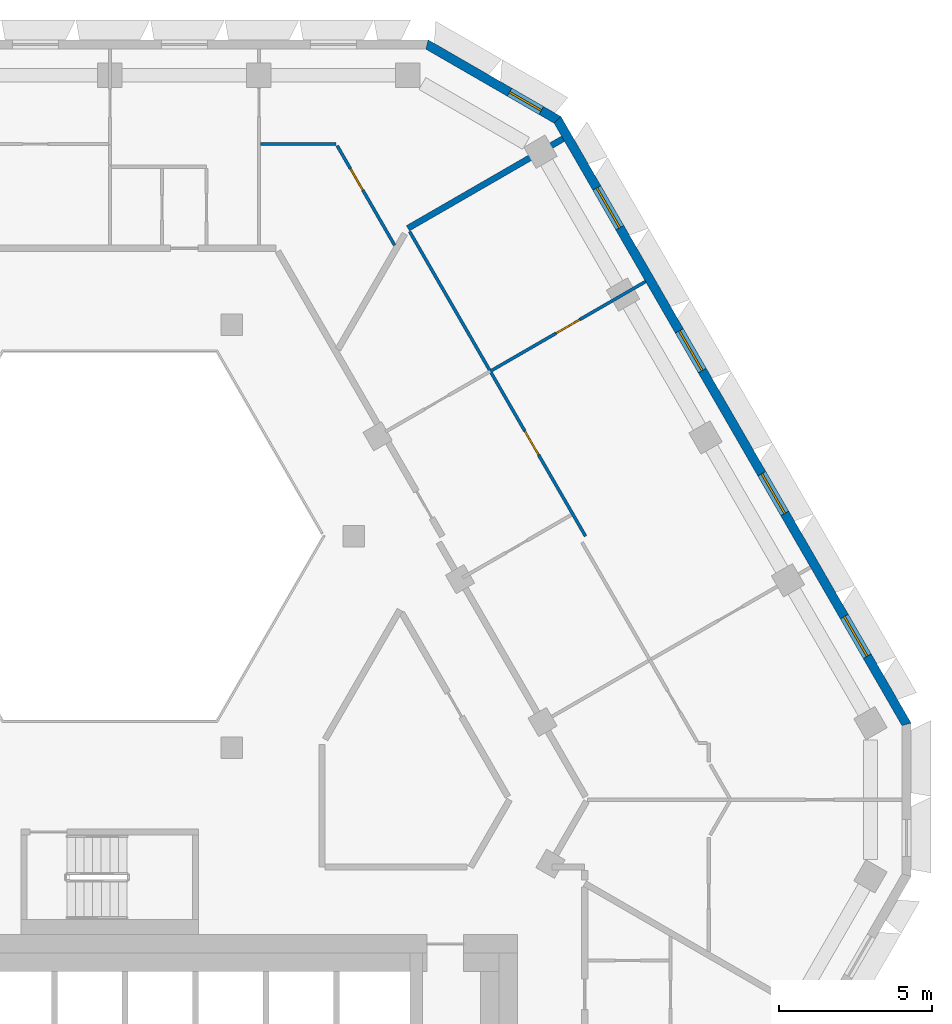
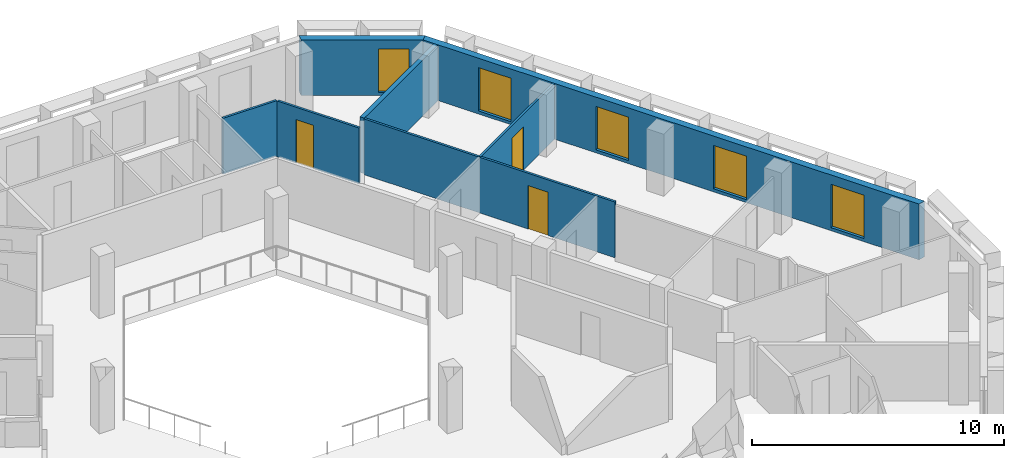
# One storey, part 8 of 15: 7 walls, 5 windows, 3 doors, 8 openings.
"""IFC4 building model written with IfcOpenShell, lengths in metres."""

from ifc_helpers import new_model, si_unit, direction, frame, frame_2d, origin, place, context, subcontext, project, spatial, polyline, rectangle, outline, extrude, material, layer, layer_set, type_object, element, fill, save


model = new_model("IFC4")

# Units and contexts
model_context = context("Model", 3, precision=1e-05, world=origin(), true_north=direction((0.0, 1.0)))
body_context = subcontext(model_context, "Body", "Model", "MODEL_VIEW")
ifc_project = project(units=[si_unit("LENGTHUNIT", "METRE"), si_unit("AREAUNIT", "SQUARE_METRE"), si_unit("VOLUMEUNIT", "CUBIC_METRE"), si_unit("PLANEANGLEUNIT", "RADIAN"), si_unit("MASSUNIT", "GRAM", prefix="KILO")], contexts=[model_context])

# Site, building, storey
site_placement = place(None, origin())
site = spatial("IfcSite", under=ifc_project, at=site_placement, CompositionType="ELEMENT")
building_placement = place(site_placement, origin())
building = spatial("IfcBuilding", under=site, at=building_placement, Name="Beryl Residences", CompositionType="ELEMENT")
storey_placement = place(building_placement, frame((0.0, 0.0, 175.199951171875)))
storey = spatial("IfcBuildingStorey", under=building, at=storey_placement, Name="L53", CompositionType="ELEMENT", Elevation=175.199951171875)

# Wall, openings, windows
ifc_material_1 = material(Name="Composite metal panel with mineral wool insulation")
ifc_layer_1 = layer(ifc_material_1, 0.300048828125)
ifc_layer_set_1 = layer_set([ifc_layer_1], Name="ES1 pale metal composite panel wall 300 mm")
wall_type_1 = type_object("IfcWallType", Name="ES1 pale metal composite panel wall 300 mm", PredefinedType="SOLIDWALL", material=ifc_layer_set_1)
wall_1_placement = place(storey_placement, frame((26.02392578125, 1.824951171875, 0.0), z_axis=(0.0, 0.0, 1.0), x_axis=(-0.500010537973, 0.866019319597, 0.0)))
wall_1 = element("IfcWall", 1, at=wall_1_placement, inside=storey, type_object=wall_type_1, Name="ES1 external wall L53 NE", PredefinedType="SOLIDWALL", context=body_context, shape_type="SweptSolid", body=[
    extrude(outline(polyline([(0.0, -0.14990234375), (22.86328125, -0.14990234375), (22.782958984375, 0.14990234375), (0.080322265625, 0.14990234375), (0.0, -0.14990234375)])), origin(), (0.0, 0.0, 1.0), 2.699951171875),
])
opening_1_placement = place(wall_1_placement, frame((2.60595703125, 0.0, 0.14990234375)))
opening_1 = element("IfcOpeningElement", 2, at=opening_1_placement, cuts=wall_1, Name="Opening W1", PredefinedType="OPENING", context=body_context, shape_type="SweptSolid", body=[
    extrude(rectangle(XDim=1.5, YDim=2.10009765625, at=frame_2d((0.75, 1.050048828125))), frame((0.0, 0.159912109375, 0.0), z_axis=(0.0, -1.0, 0.0), x_axis=(1.0, 0.0, 0.0)), (0.0, 0.0, 1.0), 0.320068359375),
])
opening_2_placement = place(wall_1_placement, frame((7.989990234375, 0.0, 0.14990234375)))
opening_2 = element("IfcOpeningElement", 3, at=opening_2_placement, cuts=wall_1, Name="Opening W1", PredefinedType="OPENING", context=body_context, shape_type="SweptSolid", body=[
    extrude(rectangle(XDim=1.5, YDim=2.10009765625, at=frame_2d((0.75, 1.050048828125))), frame((0.0, 0.159912109375, 0.0), z_axis=(0.0, -1.0, 0.0), x_axis=(1.0, 0.0, 0.0)), (0.0, 0.0, 1.0), 0.320068359375),
])
opening_3_placement = place(wall_1_placement, frame((13.373046875, 0.0, 0.14990234375)))
opening_3 = element("IfcOpeningElement", 4, at=opening_3_placement, cuts=wall_1, Name="Opening W1", PredefinedType="OPENING", context=body_context, shape_type="SweptSolid", body=[
    extrude(rectangle(XDim=1.5, YDim=2.10009765625, at=frame_2d((0.75, 1.050048828125))), frame((0.0, 0.159912109375, 0.0), z_axis=(0.0, -1.0, 0.0), x_axis=(1.0, 0.0, 0.0)), (0.0, 0.0, 1.0), 0.320068359375),
])
opening_4_placement = place(wall_1_placement, frame((18.758056640625, 0.0, 0.14990234375)))
opening_4 = element("IfcOpeningElement", 5, at=opening_4_placement, cuts=wall_1, Name="Opening W1", PredefinedType="OPENING", context=body_context, shape_type="SweptSolid", body=[
    extrude(rectangle(XDim=1.5, YDim=2.10009765625, at=frame_2d((0.75, 1.050048828125))), frame((0.0, 0.159912109375, 0.0), z_axis=(0.0, -1.0, 0.0), x_axis=(1.0, 0.0, 0.0)), (0.0, 0.0, 1.0), 0.320068359375),
])
ifc_material_2 = material(Name="Aluminium and clear glass", Category="aluminium")
window_type_1 = type_object("IfcWindowType", Name="W1 cell window 1500 x 2100 mm", PartitioningType="SINGLE_PANEL", PredefinedType="WINDOW", material=ifc_material_2)
window_1_placement = place(opening_1_placement, origin())
window_1 = element("IfcWindow", 6, at=window_1_placement, inside=storey, type_object=window_type_1, Name="W1 window L53 NE 2", OverallHeight=2.10009765625, OverallWidth=1.5, PartitioningType="SINGLE_PANEL", PredefinedType="WINDOW", context=body_context, shape_type="SweptSolid", body=[
    extrude(rectangle(XDim=1.5, YDim=2.10009765625, at=frame_2d((0.75, 1.050048828125))), frame((0.0, 0.030029296875, 0.0), z_axis=(0.0, -1.0, 0.0), x_axis=(1.0, 0.0, 0.0)), (0.0, 0.0, 1.0), 0.06005859375),
])
fill(opening_1, window_1)
window_2_placement = place(opening_2_placement, origin())
window_2 = element("IfcWindow", 7, at=window_2_placement, inside=storey, type_object=window_type_1, Name="W1 window L53 NE 4", OverallHeight=2.10009765625, OverallWidth=1.5, PartitioningType="SINGLE_PANEL", PredefinedType="WINDOW", context=body_context, shape_type="SweptSolid", body=[
    extrude(rectangle(XDim=1.5, YDim=2.10009765625, at=frame_2d((0.75, 1.050048828125))), frame((0.0, 0.030029296875, 0.0), z_axis=(0.0, -1.0, 0.0), x_axis=(1.0, 0.0, 0.0)), (0.0, 0.0, 1.0), 0.06005859375),
])
fill(opening_2, window_2)
window_3_placement = place(opening_3_placement, origin())
window_3 = element("IfcWindow", 8, at=window_3_placement, inside=storey, type_object=window_type_1, Name="W1 window L53 NE 6", OverallHeight=2.10009765625, OverallWidth=1.5, PartitioningType="SINGLE_PANEL", PredefinedType="WINDOW", context=body_context, shape_type="SweptSolid", body=[
    extrude(rectangle(XDim=1.5, YDim=2.10009765625, at=frame_2d((0.75, 1.050048828125))), frame((0.0, 0.030029296875, 0.0), z_axis=(0.0, -1.0, 0.0), x_axis=(1.0, 0.0, 0.0)), (0.0, 0.0, 1.0), 0.06005859375),
])
fill(opening_3, window_3)
window_4_placement = place(opening_4_placement, origin())
window_4 = element("IfcWindow", 9, at=window_4_placement, inside=storey, type_object=window_type_1, Name="W1 window L53 NE 8", OverallHeight=2.10009765625, OverallWidth=1.5, PartitioningType="SINGLE_PANEL", PredefinedType="WINDOW", context=body_context, shape_type="SweptSolid", body=[
    extrude(rectangle(XDim=1.5, YDim=2.10009765625, at=frame_2d((0.75, 1.050048828125))), frame((0.0, 0.030029296875, 0.0), z_axis=(0.0, -1.0, 0.0), x_axis=(1.0, 0.0, 0.0)), (0.0, 0.0, 1.0), 0.06005859375),
])
fill(opening_4, window_4)

# Wall, opening, window
wall_2_placement = place(storey_placement, frame((14.64697265625, 21.570068359375, 0.0), z_axis=(0.0, 0.0, 1.0), x_axis=(-0.866022959057, 0.500004234368, 0.0)))
wall_2 = element("IfcWall", 10, at=wall_2_placement, inside=storey, type_object=wall_type_1, Name="ES1 external wall L53 NE-N", PredefinedType="SOLIDWALL", context=body_context, shape_type="SweptSolid", body=[
    extrude(outline(polyline([(0.0, -0.14990234375), (5.0, -0.14990234375), (4.919677734375, 0.14990234375), (0.080322265625, 0.14990234375), (0.0, -0.14990234375)])), origin(), (0.0, 0.0, 1.0), 2.699951171875),
])
opening_5_placement = place(wall_2_placement, frame((0.64990234375, 0.0, 0.14990234375)))
opening_5 = element("IfcOpeningElement", 11, at=opening_5_placement, cuts=wall_2, Name="Opening W2", PredefinedType="OPENING", context=body_context, shape_type="SweptSolid", body=[
    extrude(rectangle(XDim=1.199951171875, YDim=2.10009765625, at=frame_2d((0.60009765625, 1.050048828125))), frame((0.0, 0.159912109375, 0.0), z_axis=(0.0, -1.0, 0.0), x_axis=(1.0, 0.0, 0.0)), (0.0, 0.0, 1.0), 0.320068359375),
])
ifc_material_3 = material(Name="Aluminium and clear glass", Category="aluminium")
window_type_2 = type_object("IfcWindowType", Name="W2 chamfer window 1200 x 2100 mm", PartitioningType="SINGLE_PANEL", PredefinedType="WINDOW", material=ifc_material_3)
window_5_placement = place(opening_5_placement, origin())
window_5 = element("IfcWindow", 12, at=window_5_placement, inside=storey, type_object=window_type_2, Name="W2 window L53 NE-N 1", OverallHeight=2.10009765625, OverallWidth=1.199951171875, PartitioningType="SINGLE_PANEL", PredefinedType="WINDOW", context=body_context, shape_type="SweptSolid", body=[
    extrude(rectangle(XDim=1.199951171875, YDim=2.10009765625, at=frame_2d((0.60009765625, 1.050048828125))), frame((0.0, 0.030029296875, 0.0), z_axis=(0.0, -1.0, 0.0), x_axis=(1.0, 0.0, 0.0)), (0.0, 0.0, 1.0), 0.06005859375),
])
fill(opening_5, window_5)

# Wall, opening, door
ifc_material_4 = material(Name="Gypsum board partition on steel studs", Category="steel")
ifc_layer_2 = layer(ifc_material_4, 0.10009765625)
ifc_layer_set_2 = layer_set([ifc_layer_2], Name="PT1 partition 100 mm gypsum board on steel studs")
wall_type_2 = type_object("IfcWallType", Name="PT1 partition 100 mm gypsum board on steel studs", PredefinedType="PARTITIONING", material=ifc_layer_set_2)
wall_3_placement = place(storey_placement, frame((7.4189453125, 20.7490234375, 0.0), z_axis=(0.0, 0.0, 1.0), x_axis=(0.499917691695, -0.866072919292, 0.0)))
wall_3 = element("IfcWall", 13, at=wall_3_placement, inside=storey, type_object=wall_type_2, Name="Wall PT1 L53 002", PredefinedType="PARTITIONING", context=body_context, shape_type="SweptSolid", body=[
    extrude(rectangle(XDim=3.752685546875, YDim=0.10009765625, at=frame_2d((1.87646484375, 0.0))), origin(), (0.0, 0.0, 1.0), 2.699951171875),
])
opening_6_placement = place(wall_3_placement, frame((0.8740234375, 0.0, 0.0)))
opening_6 = element("IfcOpeningElement", 14, at=opening_6_placement, cuts=wall_3, Name="Opening D1629", PredefinedType="OPENING", context=body_context, shape_type="SweptSolid", body=[
    extrude(rectangle(XDim=0.800048828125, YDim=2.10009765625, at=frame_2d((0.39990234375, 1.050048828125))), frame((0.0, 0.06005859375, 0.0), z_axis=(0.0, -1.0, 0.0), x_axis=(1.0, 0.0, 0.0)), (0.0, 0.0, 1.0), 0.1201171875),
])
ifc_material_5 = material(Name="Timber door leaf", Category="wood")
door_type_1 = type_object("IfcDoorType", Name="D3 bathroom door 800 x 2100 mm", OperationType="SINGLE_SWING_LEFT", PredefinedType="DOOR", material=ifc_material_5)
door_1_placement = place(opening_6_placement, origin())
door_1 = element("IfcDoor", 15, at=door_1_placement, inside=storey, type_object=door_type_1, Name="Door D1629 L53 001", OperationType="SINGLE_SWING_LEFT", OverallHeight=2.10009765625, OverallWidth=0.800048828125, PredefinedType="DOOR", context=body_context, shape_type="SweptSolid", body=[
    extrude(rectangle(XDim=0.800048828125, YDim=2.10009765625, at=frame_2d((0.39990234375, 1.050048828125))), frame((0.0, 0.02490234375, 0.0), z_axis=(0.0, -1.0, 0.0), x_axis=(1.0, 0.0, 0.0)), (0.0, 0.0, 1.0), 0.050048828125),
])
fill(opening_6, door_1)

wall_4_placement = place(storey_placement, frame((9.783935546875, 17.947021484375, 0.0), z_axis=(0.0, 0.0, 1.0), x_axis=(0.500016228266, -0.866016034188, 0.0)))
wall_4 = element("IfcWall", 16, at=wall_4_placement, inside=storey, type_object=wall_type_2, Name="Wall PT1 L53 005", PredefinedType="PARTITIONING", context=body_context, shape_type="SweptSolid", body=[
    extrude(rectangle(XDim=11.48583984375, YDim=0.10009765625, at=frame_2d((5.742919921875, 0.0))), origin(), (0.0, 0.0, 1.0), 2.699951171875),
])
opening_7_placement = place(wall_4_placement, frame((7.51806640625, 0.0, 0.0)))
opening_7 = element("IfcOpeningElement", 17, at=opening_7_placement, cuts=wall_4, Name="Opening D1616", PredefinedType="OPENING", context=body_context, shape_type="SweptSolid", body=[
    extrude(rectangle(XDim=0.89990234375, YDim=2.10009765625, at=frame_2d((0.449951171875, 1.050048828125))), frame((0.0, 0.06005859375, 0.0), z_axis=(0.0, -1.0, 0.0), x_axis=(1.0, 0.0, 0.0)), (0.0, 0.0, 1.0), 0.1201171875),
])
ifc_material_6 = material(Name="Timber door leaf", Category="wood")
door_type_2 = type_object("IfcDoorType", Name="D2 room door 900 x 2100 mm", OperationType="SINGLE_SWING_LEFT", PredefinedType="DOOR", material=ifc_material_6)
door_2_placement = place(opening_7_placement, origin())
door_2 = element("IfcDoor", 18, at=door_2_placement, inside=storey, type_object=door_type_2, Name="Door D1616 L53 001", OperationType="SINGLE_SWING_RIGHT", OverallHeight=2.10009765625, OverallWidth=0.89990234375, PredefinedType="DOOR", context=body_context, shape_type="SweptSolid", body=[
    extrude(rectangle(XDim=0.89990234375, YDim=2.10009765625, at=frame_2d((0.449951171875, 1.050048828125))), frame((0.0, 0.02490234375, 0.0), z_axis=(0.0, -1.0, 0.0), x_axis=(1.0, 0.0, 0.0)), (0.0, 0.0, 1.0), 0.050048828125),
])
fill(opening_7, door_2)

# Wall
wall_5_placement = place(storey_placement, frame((4.9140625, 20.799072265625, 0.0), z_axis=(0.0, 0.0, 1.0), x_axis=(1.0, 0.0, 0.0)))
element("IfcWall", 19, at=wall_5_placement, inside=storey, type_object=wall_type_2, Name="Wall PT1 L53 024", PredefinedType="PARTITIONING", context=body_context, shape_type="SweptSolid", body=[
    extrude(rectangle(XDim=2.474853515625, YDim=0.10009765625, at=frame_2d((1.2373046875, 0.0))), origin(), (0.0, 0.0, 1.0), 2.699951171875),
])

# Wall, opening, door
wall_6_placement = place(storey_placement, frame((12.4169921875, 13.385986328125, 0.0), z_axis=(0.0, 0.0, 1.0), x_axis=(0.86599873886, 0.50004618216, 0.0)))
wall_6 = element("IfcWall", 20, at=wall_6_placement, inside=storey, type_object=wall_type_2, Name="Wall PT1 L53 045", PredefinedType="PARTITIONING", context=body_context, shape_type="SweptSolid", body=[
    extrude(rectangle(XDim=5.853515625, YDim=0.10009765625, at=frame_2d((2.9267578125, 0.0))), origin(), (0.0, 0.0, 1.0), 2.699951171875),
])
opening_8_placement = place(wall_6_placement, frame((2.47607421875, 0.0, 0.0)))
opening_8 = element("IfcOpeningElement", 21, at=opening_8_placement, cuts=wall_6, Name="Opening D1620", PredefinedType="OPENING", context=body_context, shape_type="SweptSolid", body=[
    extrude(rectangle(XDim=0.89990234375, YDim=2.10009765625, at=frame_2d((0.449951171875, 1.050048828125))), frame((0.0, 0.06005859375, 0.0), z_axis=(0.0, -1.0, 0.0), x_axis=(1.0, 0.0, 0.0)), (0.0, 0.0, 1.0), 0.1201171875),
])
door_3_placement = place(opening_8_placement, origin())
door_3 = element("IfcDoor", 22, at=door_3_placement, inside=storey, type_object=door_type_2, Name="Door D1620 L53 001", OperationType="SINGLE_SWING_RIGHT", OverallHeight=2.10009765625, OverallWidth=0.89990234375, PredefinedType="DOOR", context=body_context, shape_type="SweptSolid", body=[
    extrude(rectangle(XDim=0.89990234375, YDim=2.10009765625, at=frame_2d((0.449951171875, 1.050048828125))), frame((0.0, 0.02490234375, 0.0), z_axis=(0.0, -1.0, 0.0), x_axis=(1.0, 0.0, 0.0)), (0.0, 0.0, 1.0), 0.050048828125),
])
fill(opening_8, door_3)

# Wall
ifc_material_7 = material(Name="Acoustic double stud gypsum board wall")
ifc_layer_3 = layer(ifc_material_7, 0.199951171875)
ifc_layer_set_3 = layer_set([ifc_layer_3], Name="PT3 party wall 200 mm acoustic double stud")
wall_type_3 = type_object("IfcWallType", Name="PT3 party wall 200 mm acoustic double stud", PredefinedType="PARTITIONING", material=ifc_layer_set_3)
wall_7_placement = place(storey_placement, frame((9.72900390625, 18.051025390625, 0.0), z_axis=(0.0, 0.0, 1.0), x_axis=(0.866038213712, 0.499977811898, 0.0)))
element("IfcWall", 23, at=wall_7_placement, inside=storey, type_object=wall_type_3, Name="Wall PT3 L53 012", PredefinedType="PARTITIONING", context=body_context, shape_type="SweptSolid", body=[
    extrude(rectangle(XDim=5.848388671875, YDim=0.199951171875, at=frame_2d((2.92431640625, 0.0))), origin(), (0.0, 0.0, 1.0), 2.699951171875),
])

save(model, "model.ifc")
